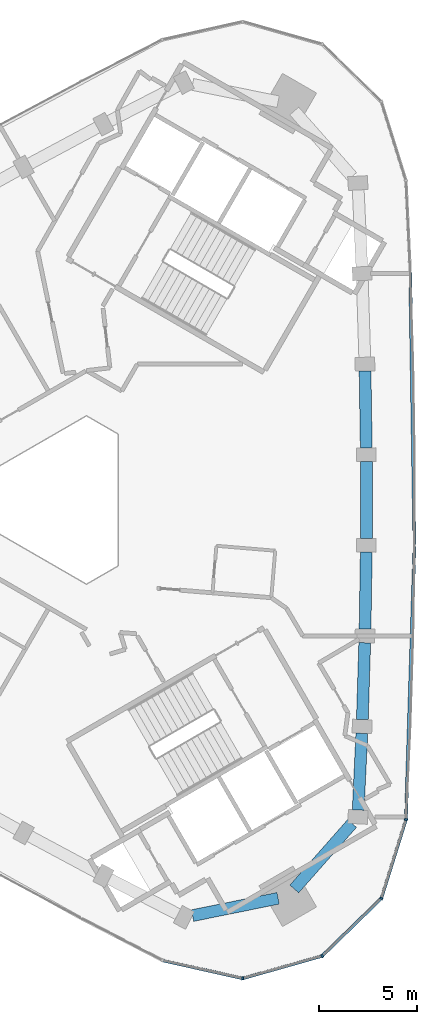
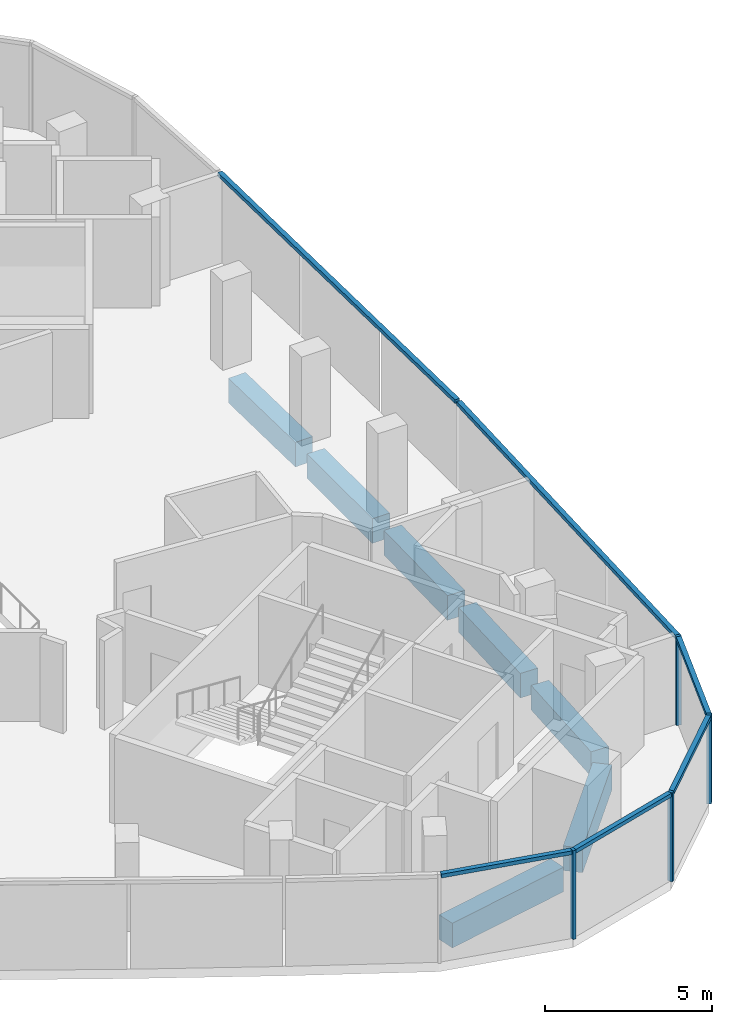
# One storey, part 3 of 10: 10 members, 7 beams, 2 elements without a shape of their own.
"""IFC4 building model written with IfcOpenShell, lengths in metres."""

import ifcopenshell
import ifcopenshell.guid

model = None  # the IFC model being written
_history = None  # IfcOwnerHistory: only IFC2X3 demands one
_inside = {}  # id of a spatial element -> (the spatial element, [elements in it])
_under = {}  # id of a project, library or spatial element -> (it, [spatial elements below it])
_declared = {}  # id of a project -> (the project, [libraries it declares])
_typed = {}  # id of a type object -> (the type object, [elements of that type])
_made_of = {}  # id of a material, layer set ... -> (it, [elements and type objects made of it])


def new_model(schema):
    """Start an empty IFC model of exactly this schema.

    Asked for "IFC4X3", IfcOpenShell would pick the latest addendum, in which some entities
    have other attributes; the version numbers below select the first issue.
    IFC2X3 requires an IfcOwnerHistory on every rooted entity: one is made here for all.
    """
    global model, _history
    if schema == "IFC4X3":
        model = ifcopenshell.file(schema_version=(4, 3, 0, 0))
    else:
        model = ifcopenshell.file(schema=schema)
    _inside.clear()
    _under.clear()
    _declared.clear()
    _typed.clear()
    _made_of.clear()
    _history = None
    if model.schema == "IFC2X3":
        org = make("IfcOrganization", Name="unknown")
        user = make(
            "IfcPersonAndOrganization",
            ThePerson=make("IfcPerson", FamilyName="unknown"),
            TheOrganization=org,
        )
        app = make(
            "IfcApplication",
            ApplicationDeveloper=org,
            Version="unknown",
            ApplicationFullName="unknown",
            ApplicationIdentifier="unknown",
        )
        _history = make(
            "IfcOwnerHistory",
            OwningUser=user,
            OwningApplication=app,
            ChangeAction="ADDED",
            CreationDate=0,
        )
    return model


def make(cls, **values):
    """One entity of the class cls with the attributes given. An attribute that is None is left unset."""
    return model.create_entity(
        cls, **{name: value for name, value in values.items() if value is not None}
    )


def rooted(cls, **values):
    """An entity with a GlobalId (a new one), such as an element, a storey or a relation."""
    return make(cls, GlobalId=ifcopenshell.guid.new(), OwnerHistory=_history, **values)


def si_unit(unit_type, name, prefix=None):
    """IfcSIUnit, for example si_unit("LENGTHUNIT", "METRE", prefix="MILLI")."""
    return make("IfcSIUnit", UnitType=unit_type, Prefix=prefix, Name=name)


def assignment(units):
    """IfcUnitAssignment: the units of a project."""
    return None if units is None else make("IfcUnitAssignment", Units=units)


def point(xyz):
    """IfcCartesianPoint."""
    return None if xyz is None else make("IfcCartesianPoint", Coordinates=xyz)


def direction(xyz):
    """IfcDirection."""
    return None if xyz is None else make("IfcDirection", DirectionRatios=xyz)


def frame(location, z_axis=None, x_axis=None):
    """IfcAxis2Placement3D, a coordinate frame: its origin and axes. An axis left out is left unset."""
    return make(
        "IfcAxis2Placement3D",
        Location=point(location),
        Axis=direction(z_axis),
        RefDirection=direction(x_axis),
    )


def frame_2d(location, x_axis=None):
    """IfcAxis2Placement2D, a coordinate frame in the plane: its origin and x axis."""
    return make(
        "IfcAxis2Placement2D", Location=point(location), RefDirection=direction(x_axis)
    )


def origin():
    """The frame at (0, 0, 0) with its axes left unset."""
    return frame((0.0, 0.0, 0.0))


def origin_2d():
    """The frame at (0, 0) in the plane with its x axis left unset."""
    return frame_2d((0.0, 0.0))


def place(relative_to, where):
    """IfcLocalPlacement: puts the frame where relative to a parent placement (None: the world)."""
    return make(
        "IfcLocalPlacement", PlacementRelTo=relative_to, RelativePlacement=where
    )


def context(
    kind, dimensions, precision=None, world=None, true_north=None, identifier=None
):
    """IfcGeometricRepresentationContext, for example the 3D "Model" context."""
    return make(
        "IfcGeometricRepresentationContext",
        ContextIdentifier=identifier,
        ContextType=kind,
        CoordinateSpaceDimension=dimensions,
        Precision=precision,
        WorldCoordinateSystem=world,
        TrueNorth=true_north,
    )


def subcontext(parent, identifier, kind, view, scale=None):
    """IfcGeometricRepresentationSubContext, for example "Body" below "Model"."""
    return make(
        "IfcGeometricRepresentationSubContext",
        ContextIdentifier=identifier,
        ContextType=kind,
        ParentContext=parent,
        TargetScale=scale,
        TargetView=view,
    )


def project(units=None, contexts=None):
    """IfcProject with its units and contexts."""
    return rooted(
        "IfcProject",
        Name="project",
        RepresentationContexts=contexts,
        UnitsInContext=assignment(units),
    )


def spatial(cls, under=None, at=None, **own):
    """A site, building, storey or space (cls), placed at a placement, below another one or the project."""
    s = rooted(cls, ObjectPlacement=at, **own)
    if under is not None:
        _under.setdefault(under.id(), (under, []))[1].append(s)
    return s


def profile(cls, at=None, kind="AREA", **sizes):
    """A parametric profile (cls). Its sizes go by their IFC names, for example OverallWidth=200.0."""
    return make(cls, ProfileType=kind, Position=at, **sizes)


def rectangle(**sizes):
    """IfcRectangleProfileDef."""
    return profile("IfcRectangleProfileDef", **sizes)


def extrude(swept, where, along, depth):
    """IfcExtrudedAreaSolid: the profile swept, set in the frame where, extruded along a direction by depth."""
    return make(
        "IfcExtrudedAreaSolid",
        SweptArea=swept,
        Position=where,
        ExtrudedDirection=direction(along),
        Depth=depth,
    )


def shape(context_of_items, identifier, shape_type, items):
    """IfcShapeRepresentation: the items that make up one representation, for example the "Body"."""
    return make(
        "IfcShapeRepresentation",
        ContextOfItems=context_of_items,
        RepresentationIdentifier=identifier,
        RepresentationType=shape_type,
        Items=items,
    )


def material(Name=None, Category=None):
    """IfcMaterial."""
    return make("IfcMaterial", Name=Name, Category=Category)


def material_profile(
    of_material, cross_section, Name=None, Category=None, Priority=None
):
    """IfcMaterialProfile: a cross section and its material."""
    return make(
        "IfcMaterialProfile",
        Name=Name,
        Material=of_material,
        Profile=cross_section,
        Priority=Priority,
        Category=Category,
    )


def profile_set(profiles, Name=None, composite=None):
    """IfcMaterialProfileSet."""
    return make(
        "IfcMaterialProfileSet",
        Name=Name,
        MaterialProfiles=profiles,
        CompositeProfile=composite,
    )


def made_of(thing, what):
    """Note that an element or type object is made of a material, layer set ...; save() writes the relation."""
    if what is not None:
        _made_of.setdefault(what.id(), (what, []))[1].append(thing)
    return thing


def type_object(cls, material=None, **own):
    """A type object (cls), such as IfcWallType, which elements share."""
    return made_of(rooted(cls, **own), material)


def element(
    cls,
    number,
    at=None,
    inside=None,
    cuts=None,
    type_object=None,
    material=None,
    context=None,
    identifier="Body",
    shape_type=None,
    held_by="IfcProductDefinitionShape",
    body=None,
    shapes=None,
    **own,
):
    """One element of the class cls, such as IfcWall. Its Tag is "e" and its number.

    at: its placement. inside: the storey or other place that contains it. cuts: it is an
    opening in that element (IfcRelVoidsElement). A single representation is given by context,
    identifier, shape_type and body (its items); several are given by shapes. held_by: the class
    of the entity that holds the representations. save() writes the other relations.
    """
    e = rooted(cls, Tag="e%d" % number, ObjectPlacement=at, **own)
    if body is not None:
        shapes = [shape(context, identifier, shape_type, body)]
    if shapes is not None:
        e.Representation = make(held_by, Representations=shapes)
    if inside is not None:
        _inside.setdefault(inside.id(), (inside, []))[1].append(e)
    if cuts is not None:
        rooted(
            "IfcRelVoidsElement", RelatingBuildingElement=cuts, RelatedOpeningElement=e
        )
    if type_object is not None:
        _typed.setdefault(type_object.id(), (type_object, []))[1].append(e)
    return made_of(e, material)


def aggregate(whole, parts):
    """IfcRelAggregates: a whole, such as a stair, and the parts it consists of."""
    return rooted("IfcRelAggregates", RelatingObject=whole, RelatedObjects=parts)


def save(model, path):
    """Write the relations noted so far, then the file.

    IfcRelAggregates (storeys below a building ...), IfcRelContainedInSpatialStructure (elements
    in a storey), IfcRelDefinesByType, IfcRelAssociatesMaterial and IfcRelDeclares: one each for
    every whole, place, type object, material and project.
    """
    for whole, parts in _under.values():
        aggregate(whole, parts)
    for where, things in _inside.values():
        rooted(
            "IfcRelContainedInSpatialStructure",
            RelatedElements=things,
            RelatingStructure=where,
        )
    for kind, things in _typed.values():
        rooted("IfcRelDefinesByType", RelatedObjects=things, RelatingType=kind)
    for what, things in _made_of.values():
        rooted("IfcRelAssociatesMaterial", RelatedObjects=things, RelatingMaterial=what)
    for by, libraries in _declared.values():
        rooted("IfcRelDeclares", RelatingContext=by, RelatedDefinitions=libraries)
    model.write(path)


model = new_model("IFC4")

# Units and contexts
model_context = context("Model", 3, precision=1e-05, world=origin(), true_north=direction((0.0, 1.0)))
body_context = subcontext(model_context, "Body", "Model", "MODEL_VIEW")
ifc_project = project(units=[si_unit("LENGTHUNIT", "METRE"), si_unit("AREAUNIT", "SQUARE_METRE"), si_unit("VOLUMEUNIT", "CUBIC_METRE"), si_unit("PLANEANGLEUNIT", "RADIAN"), si_unit("MASSUNIT", "GRAM", prefix="KILO")], contexts=[model_context])

# Site, building, storey
site_placement = place(None, origin())
site = spatial("IfcSite", under=ifc_project, at=site_placement, CompositionType="ELEMENT")
building_placement = place(site_placement, origin())
building = spatial("IfcBuilding", under=site, at=building_placement, Name="Tamra Quay Hotel Tower", CompositionType="ELEMENT")
storey_placement = place(building_placement, frame((0.0, 0.0, 276.60009765625)))
storey = spatial("IfcBuildingStorey", under=building, at=storey_placement, Name="L70", CompositionType="ELEMENT", Elevation=276.60009765625)

# Curtain wall, member
ifc_material_1 = material(Name="Aluminium 6063 anodised dark grey", Category="aluminium")
curtain_wall_type_1 = type_object("IfcCurtainWallType", Name="CW1 CURTAIN WALL", PredefinedType="NOTDEFINED", material=ifc_material_1)
curtain_wall_1_placement = place(storey_placement, origin())
curtain_wall_1 = element("IfcCurtainWall", 1, at=curtain_wall_1_placement, inside=storey, type_object=curtain_wall_type_1, Name="CW1 east face L70", PredefinedType="NOTDEFINED")
ifc_material_profile_1 = material_profile(ifc_material_1, rectangle(XDim=0.159912109375, YDim=0.10009765625, at=origin_2d()), Name="MULLION 100X160")
ifc_profile_set_1 = profile_set([ifc_material_profile_1], Name="Aluminium 6063 anodised dark grey")
member_type_1 = type_object("IfcMemberType", Name="MULLION CW1 Z6", PredefinedType="MULLION", material=ifc_profile_set_1)
member_1_placement = place(storey_placement, frame((17.648681640625, -16.25146484375, 0.0), z_axis=(0.0, 0.0, 1.0), x_axis=(0.984739923452, -0.174032419852, 0.0)))
member_1 = element("IfcMember", 2, at=member_1_placement, type_object=member_type_1, Name="CW1 mullion L70.E.1", PredefinedType="MULLION", context=body_context, shape_type="SweptSolid", body=[
    extrude(rectangle(XDim=0.159912109375, YDim=0.10009765625, at=origin_2d()), origin(), (0.0, 0.0, 1.0), 3.25),
])

# Curtain wall, members
curtain_wall_type_2 = type_object("IfcCurtainWallType", Name="CW3 CURTAIN WALL", PredefinedType="NOTDEFINED", material=ifc_material_1)
curtain_wall_2_placement = place(storey_placement, origin())
curtain_wall_2 = element("IfcCurtainWall", 3, at=curtain_wall_2_placement, inside=storey, type_object=curtain_wall_type_2, Name="CW3 south-west face L70", PredefinedType="NOTDEFINED")
ifc_material_profile_2 = material_profile(ifc_material_1, rectangle(XDim=0.159912109375, YDim=0.10009765625, at=origin_2d()), Name="MULLION 100X160")
ifc_profile_set_2 = profile_set([ifc_material_profile_2], Name="Aluminium 6063 anodised dark grey")
member_type_2 = type_object("IfcMemberType", Name="MULLION CW3 Z6", PredefinedType="MULLION", material=ifc_profile_set_2)
member_2_placement = place(storey_placement, frame((9.346435546875, -24.32861328125, 0.0), z_axis=(0.0, 0.0, 1.0), x_axis=(0.027468865497, -0.999622659521, 0.0)))
member_2 = element("IfcMember", 4, at=member_2_placement, type_object=member_type_2, Name="CW3 mullion L70.SW.9", PredefinedType="MULLION", context=body_context, shape_type="SweptSolid", body=[
    extrude(rectangle(XDim=0.159912109375, YDim=0.10009765625, at=origin_2d()), origin(), (0.0, 0.0, 1.0), 3.25),
])
member_3_placement = place(storey_placement, frame((13.38671875, -23.1865234375, 0.0), z_axis=(0.0, 0.0, 1.0), x_axis=(0.5, -0.866025403784, 0.0)))
member_3 = element("IfcMember", 5, at=member_3_placement, type_object=member_type_2, Name="CW3 mullion L70.SW.10", PredefinedType="MULLION", context=body_context, shape_type="SweptSolid", body=[
    extrude(rectangle(XDim=0.159912109375, YDim=0.10009765625, at=origin_2d()), origin(), (0.0, 0.0, 1.0), 3.25),
])
member_4_placement = place(storey_placement, frame((16.39599609375, -20.2587890625, 0.0), z_axis=(0.0, 0.0, 1.0), x_axis=(0.851964184595, -0.523600065094, 0.0)))
member_4 = element("IfcMember", 6, at=member_4_placement, type_object=member_type_2, Name="CW3 mullion L70.SW.11", PredefinedType="MULLION", context=body_context, shape_type="SweptSolid", body=[
    extrude(rectangle(XDim=0.159912109375, YDim=0.10009765625, at=origin_2d()), origin(), (0.0, 0.0, 1.0), 3.25),
])

# Beams
ifc_material_2 = material(Name="Concrete M60", Category="concrete")
ifc_material_profile_3 = material_profile(ifc_material_2, rectangle(XDim=0.60009765625, YDim=0.89990234375, at=origin_2d()), Name="SPANDREL BEAM RC 600x900")
ifc_profile_set_3 = profile_set([ifc_material_profile_3], Name="Concrete M60")
beam_type = type_object("IfcBeamType", Name="SPANDREL BEAM RC 600x900", PredefinedType="SPANDREL", material=ifc_profile_set_3)
beam_1_placement = place(storey_placement, frame((15.218994140625, -15.767333984375, -0.800048828125), z_axis=(0.04680507522, 0.998904041905, 0.0), x_axis=(-0.998904041905, 0.04680507522, 0.0)))
element("IfcBeam", 7, at=beam_1_placement, inside=storey, type_object=beam_type, Name="BM-SP6-000-L70", PredefinedType="SPANDREL", context=body_context, shape_type="SweptSolid", body=[
    extrude(rectangle(XDim=0.60009765625, YDim=0.89990234375, at=origin_2d()), origin(), (0.0, 0.0, 1.0), 3.906982421875),
])
beam_2_placement = place(storey_placement, frame((15.42919921875, -11.165283203125, -0.800048828125), z_axis=(0.031240604276, 0.999511893198, 0.0), x_axis=(-0.999511893198, 0.031240604276, 0.0)))
element("IfcBeam", 8, at=beam_2_placement, inside=storey, type_object=beam_type, Name="BM-SP6-001-L70", PredefinedType="SPANDREL", context=body_context, shape_type="SweptSolid", body=[
    extrude(rectangle(XDim=0.60009765625, YDim=0.89990234375, at=origin_2d()), origin(), (0.0, 0.0, 1.0), 3.907470703125),
])
beam_3_placement = place(storey_placement, frame((15.567626953125, -6.559814453125, -0.800048828125), z_axis=(0.015623093001, 0.999877952035, 0.0), x_axis=(-0.999877952035, 0.015623093001, 0.0)))
element("IfcBeam", 9, at=beam_3_placement, inside=storey, type_object=beam_type, Name="BM-SP6-002-L70", PredefinedType="SPANDREL", context=body_context, shape_type="SweptSolid", body=[
    extrude(rectangle(XDim=0.60009765625, YDim=0.89990234375, at=origin_2d()), origin(), (0.0, 0.0, 1.0), 3.90673828125),
])
beam_4_placement = place(storey_placement, frame((15.634033203125, -1.95361328125, -0.800048828125), z_axis=(0.0, 1.0, 0.0), x_axis=(-1.0, 0.0, 0.0)))
element("IfcBeam", 10, at=beam_4_placement, inside=storey, type_object=beam_type, Name="BM-SP6-003-L70", PredefinedType="SPANDREL", context=body_context, shape_type="SweptSolid", body=[
    extrude(rectangle(XDim=0.60009765625, YDim=0.89990234375, at=origin_2d()), origin(), (0.0, 0.0, 1.0), 3.9072265625),
])
beam_5_placement = place(storey_placement, frame((15.628662109375, 2.653564453125, -0.800048828125), z_axis=(-0.015623093001, 0.999877952035, 0.0), x_axis=(-0.999877952035, -0.015623093001, 0.0)))
element("IfcBeam", 11, at=beam_5_placement, inside=storey, type_object=beam_type, Name="BM-SP6-004-L70", PredefinedType="SPANDREL", context=body_context, shape_type="SweptSolid", body=[
    extrude(rectangle(XDim=0.60009765625, YDim=0.89990234375, at=origin_2d()), origin(), (0.0, 0.0, 1.0), 3.90673828125),
])
beam_6_placement = place(storey_placement, frame((6.79345703125, -21.1357421875, -0.800048828125), z_axis=(0.980114952618, 0.198430541133, 0.0), x_axis=(-0.198430541133, 0.980114952618, 0.0)))
element("IfcBeam", 12, at=beam_6_placement, inside=storey, type_object=beam_type, Name="BM-SP6-025-L70", PredefinedType="SPANDREL", context=body_context, shape_type="SweptSolid", body=[
    extrude(rectangle(XDim=0.60009765625, YDim=0.89990234375, at=origin_2d()), origin(), (0.0, 0.0, 1.0), 4.441650390625),
])
beam_7_placement = place(storey_placement, frame((11.96728515625, -19.781005859375, -0.800048828125), z_axis=(0.661856103448, 0.749630908066, 0.0), x_axis=(-0.749630908066, 0.661856103448, 0.0)))
element("IfcBeam", 13, at=beam_7_placement, inside=storey, type_object=beam_type, Name="BM-SP6-026-L70", PredefinedType="SPANDREL", context=body_context, shape_type="SweptSolid", body=[
    extrude(rectangle(XDim=0.60009765625, YDim=0.89990234375, at=origin_2d()), origin(), (0.0, 0.0, 1.0), 4.44189453125),
])

# Member
ifc_material_profile_4 = material_profile(ifc_material_1, rectangle(XDim=0.159912109375, YDim=0.139892578125, at=origin_2d()), Name="TRANSOM 160X140")
ifc_profile_set_4 = profile_set([ifc_material_profile_4], Name="Aluminium 6063 anodised dark grey")
member_type_3 = type_object("IfcMemberType", Name="TRANSOM CW1 Z6", PredefinedType="USERDEFINED", material=ifc_profile_set_4)
member_5_placement = place(storey_placement, frame((17.651123046875, -16.201416015625, 3.179931640625), z_axis=(0.031233650571, 0.999512110518, 0.0), x_axis=(-0.999512110518, 0.031233650571, 0.0)))
member_5 = element("IfcMember", 14, at=member_5_placement, type_object=member_type_3, Name="CW1 transom L70.E.1", ObjectType="TRANSOM", PredefinedType="USERDEFINED", context=body_context, shape_type="SweptSolid", body=[
    extrude(rectangle(XDim=0.159912109375, YDim=0.139892578125, at=origin_2d()), origin(), (0.0, 0.0, 1.0), 13.83544921875),
])

member_6_placement = place(storey_placement, frame((18.083984375, -2.27294921875, 3.179931640625), z_axis=(-0.015617579664, 0.999878038165, 0.0), x_axis=(-0.999878038165, -0.015617579664, 0.0)))
member_6 = element("IfcMember", 15, at=member_6_placement, type_object=member_type_3, Name="CW1 transom L70.E.4", ObjectType="TRANSOM", PredefinedType="USERDEFINED", context=body_context, shape_type="SweptSolid", body=[
    extrude(rectangle(XDim=0.159912109375, YDim=0.139892578125, at=origin_2d()), origin(), (0.0, 0.0, 1.0), 13.834716796875),
])

aggregate(curtain_wall_1, [member_1, member_5, member_6])

ifc_material_profile_5 = material_profile(ifc_material_1, rectangle(XDim=0.159912109375, YDim=0.139892578125, at=origin_2d()), Name="TRANSOM 160X140")
ifc_profile_set_5 = profile_set([ifc_material_profile_5], Name="Aluminium 6063 anodised dark grey")
member_type_4 = type_object("IfcMemberType", Name="TRANSOM CW3 Z6", PredefinedType="USERDEFINED", material=ifc_profile_set_5)
member_7_placement = place(storey_placement, frame((5.298583984375, -23.4208984375, 3.179931640625), z_axis=(0.975771819949, -0.21879066569, 0.0), x_axis=(0.21879066569, 0.975771819949, 0.0)))
member_7 = element("IfcMember", 16, at=member_7_placement, type_object=member_type_4, Name="CW3 transom L70.SW.8", ObjectType="TRANSOM", PredefinedType="USERDEFINED", context=body_context, shape_type="SweptSolid", body=[
    extrude(rectangle(XDim=0.159912109375, YDim=0.139892578125, at=origin_2d()), origin(), (0.0, 0.0, 1.0), 4.0986328125),
])

member_8_placement = place(storey_placement, frame((9.394775390625, -24.315185546875, 3.179931640625), z_axis=(0.962266689751, 0.272108099467, 0.0), x_axis=(-0.272108099467, 0.962266689751, 0.0)))
member_8 = element("IfcMember", 17, at=member_8_placement, type_object=member_type_4, Name="CW3 transom L70.SW.9", ObjectType="TRANSOM", PredefinedType="USERDEFINED", context=body_context, shape_type="SweptSolid", body=[
    extrude(rectangle(XDim=0.159912109375, YDim=0.139892578125, at=origin_2d()), origin(), (0.0, 0.0, 1.0), 4.098388671875),
])

member_9_placement = place(storey_placement, frame((13.422607421875, -23.151611328125, 3.179931640625), z_axis=(0.716720298204, 0.697360748926, 0.0), x_axis=(-0.697360748926, 0.716720298204, 0.0)))
member_9 = element("IfcMember", 18, at=member_9_placement, type_object=member_type_4, Name="CW3 transom L70.SW.10", ObjectType="TRANSOM", PredefinedType="USERDEFINED", context=body_context, shape_type="SweptSolid", body=[
    extrude(rectangle(XDim=0.159912109375, YDim=0.139892578125, at=origin_2d()), origin(), (0.0, 0.0, 1.0), 4.0986328125),
])

member_10_placement = place(storey_placement, frame((16.410888671875, -20.2109375, 3.179931640625), z_axis=(0.298373352037, 0.954449235315, 0.0), x_axis=(-0.954449235315, 0.298373352037, 0.0)))
member_10 = element("IfcMember", 19, at=member_10_placement, type_object=member_type_4, Name="CW3 transom L70.SW.11", ObjectType="TRANSOM", PredefinedType="USERDEFINED", context=body_context, shape_type="SweptSolid", body=[
    extrude(rectangle(XDim=0.159912109375, YDim=0.139892578125, at=origin_2d()), origin(), (0.0, 0.0, 1.0), 4.0986328125),
])

aggregate(curtain_wall_2, [member_7, member_2, member_8, member_3, member_9, member_4, member_10])

save(model, "model.ifc")
